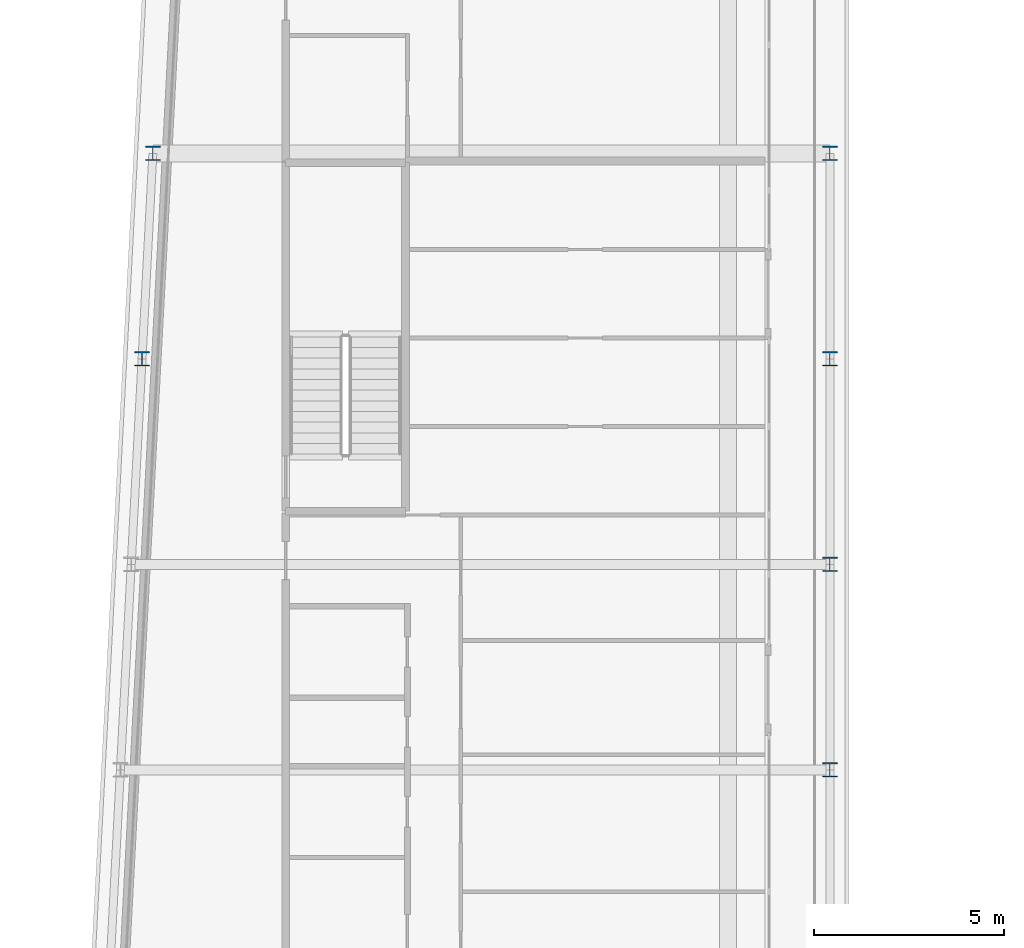
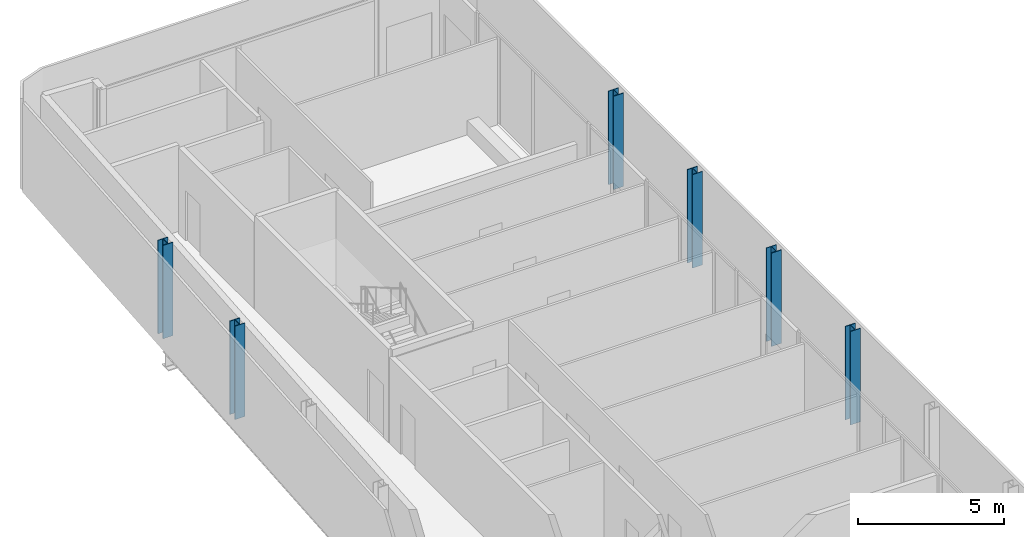
# One storey, part 4 of 21: 6 columns.
"""IFC4 building model written with IfcOpenShell, lengths in metres."""

from ifc_helpers import new_model, si_unit, direction, frame, origin, origin_2d, place, context, subcontext, project, spatial, i_section, extrude, material, material_profile, profile_set, type_object, element, save


model = new_model("IFC4")

# Units and contexts
model_context = context("Model", 3, precision=1e-05, world=origin(), true_north=direction((0.0, 1.0)))
body_context = subcontext(model_context, "Body", "Model", "MODEL_VIEW")
ifc_project = project(units=[si_unit("LENGTHUNIT", "METRE"), si_unit("AREAUNIT", "SQUARE_METRE"), si_unit("VOLUMEUNIT", "CUBIC_METRE"), si_unit("PLANEANGLEUNIT", "RADIAN"), si_unit("MASSUNIT", "GRAM", prefix="KILO")], contexts=[model_context])

# Site, building, storey
site_placement = place(None, origin())
site = spatial("IfcSite", under=ifc_project, at=site_placement, CompositionType="ELEMENT")
building_placement = place(site_placement, origin())
building = spatial("IfcBuilding", under=site, at=building_placement, Name="Kheshtan School and Residences Tower", CompositionType="ELEMENT")
storey_placement = place(building_placement, frame((0.0, 0.0, 294.199951171875)))
storey = spatial("IfcBuildingStorey", under=building, at=storey_placement, Name="L69", CompositionType="ELEMENT", Elevation=294.199951171875)

# Columns
ifc_material = material(Name="Steel ASTM A992 Grade 50", Category="steel")
ifc_material_profile = material_profile(ifc_material, i_section(OverallWidth=0.39501953125, OverallDepth=0.3798828125, WebThickness=0.018798828125, FlangeThickness=0.0302734375, FilletRadius=0.011474609375, at=origin_2d()), Name="W360x237")
ifc_profile_set = profile_set([ifc_material_profile], Name="Steel ASTM A992 Grade 50")
column_type = type_object("IfcColumnType", Name="Column C5 W360x237 ASTM A992 Grade 50", PredefinedType="COLUMN", material=ifc_profile_set)
for number, where, z_axis, x_axis, name in (
    (1, (47.60009765625, 72.60009765625, 0.0), (0.0, 0.0, 1.0), (1.0, 0.0, 0.0), "Column C087"),
    (2, (47.60009765625, 78.0, 0.0), (0.0, 0.0, 1.0), (1.0, 0.0, 0.0), "Column C089"),
    (3, (29.527099609375, 83.39990234375, 0.0), (0.0, 0.0, 1.0), (1.0, 0.0, 0.0), "Column C090"),
    (4, (47.60009765625, 83.39990234375, 0.0), (0.0, 0.0, 1.0), (1.0, 0.0, 0.0), "Column C091"),
    (5, (29.81103515625, 88.800048828125, 0.0), (0.0, 0.0, 1.0), (1.0, 0.0, 0.0), "Column C098"),
    (6, (47.60009765625, 88.800048828125, 0.0), (0.0, 0.0, 1.0), (1.0, 0.0, 0.0), "Column C099"),
):
    element("IfcColumn", number, at=place(storey_placement, frame(where, z_axis=z_axis, x_axis=x_axis)), inside=storey, type_object=column_type, Name=name, PredefinedType="COLUMN", context=body_context, shape_type="SweptSolid", body=[
        extrude(i_section(OverallWidth=0.39501953125, OverallDepth=0.3798828125, WebThickness=0.018798828125, FlangeThickness=0.0302734375, FilletRadius=0.011474609375, at=origin_2d()), origin(), (0.0, 0.0, 1.0), 3.900146484375),
    ])

save(model, "model.ifc")
